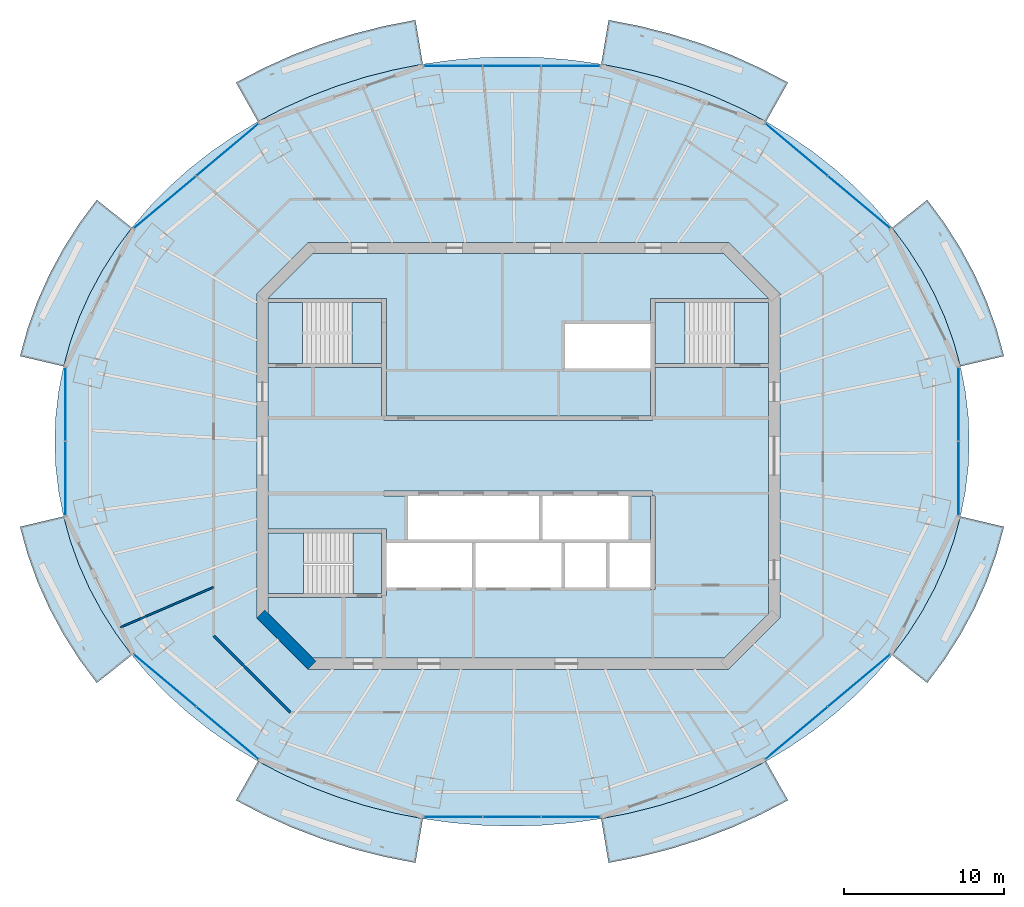
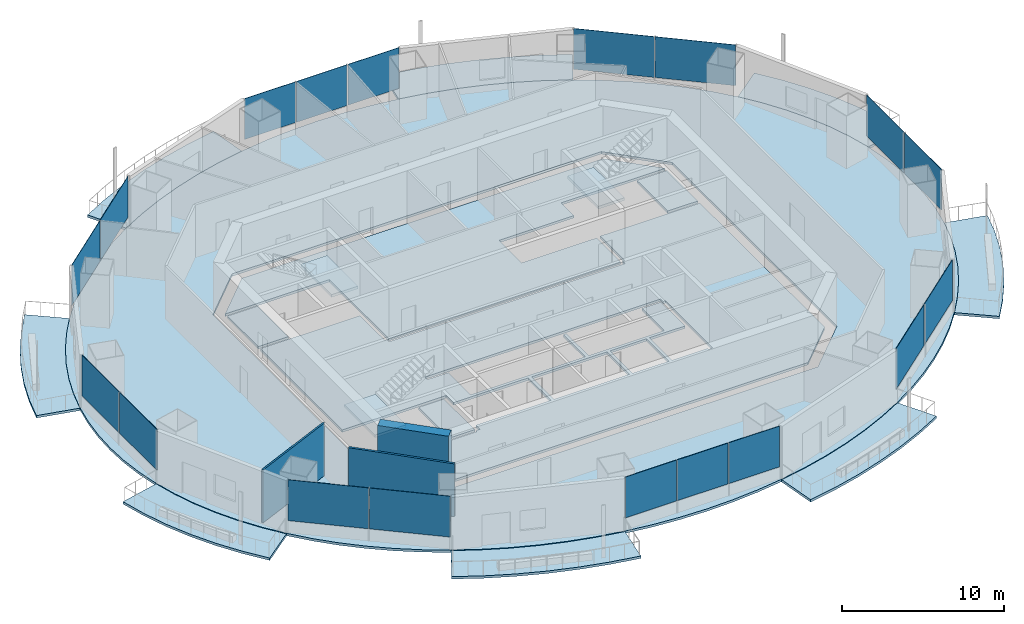
# One storey, part 7 of 16: 18 plates, 17 slabs, 3 walls, 11 elements without a shape of their own.
"""IFC4 building model written with IfcOpenShell, lengths in metres."""

import ifcopenshell
import ifcopenshell.guid

model = None  # the IFC model being written
_history = None  # IfcOwnerHistory: only IFC2X3 demands one
_inside = {}  # id of a spatial element -> (the spatial element, [elements in it])
_under = {}  # id of a project, library or spatial element -> (it, [spatial elements below it])
_declared = {}  # id of a project -> (the project, [libraries it declares])
_typed = {}  # id of a type object -> (the type object, [elements of that type])
_made_of = {}  # id of a material, layer set ... -> (it, [elements and type objects made of it])


def new_model(schema):
    """Start an empty IFC model of exactly this schema.

    Asked for "IFC4X3", IfcOpenShell would pick the latest addendum, in which some entities
    have other attributes; the version numbers below select the first issue.
    IFC2X3 requires an IfcOwnerHistory on every rooted entity: one is made here for all.
    """
    global model, _history
    if schema == "IFC4X3":
        model = ifcopenshell.file(schema_version=(4, 3, 0, 0))
    else:
        model = ifcopenshell.file(schema=schema)
    _inside.clear()
    _under.clear()
    _declared.clear()
    _typed.clear()
    _made_of.clear()
    _history = None
    if model.schema == "IFC2X3":
        org = make("IfcOrganization", Name="unknown")
        user = make(
            "IfcPersonAndOrganization",
            ThePerson=make("IfcPerson", FamilyName="unknown"),
            TheOrganization=org,
        )
        app = make(
            "IfcApplication",
            ApplicationDeveloper=org,
            Version="unknown",
            ApplicationFullName="unknown",
            ApplicationIdentifier="unknown",
        )
        _history = make(
            "IfcOwnerHistory",
            OwningUser=user,
            OwningApplication=app,
            ChangeAction="ADDED",
            CreationDate=0,
        )
    return model


def make(cls, **values):
    """One entity of the class cls with the attributes given. An attribute that is None is left unset."""
    return model.create_entity(
        cls, **{name: value for name, value in values.items() if value is not None}
    )


def rooted(cls, **values):
    """An entity with a GlobalId (a new one), such as an element, a storey or a relation."""
    return make(cls, GlobalId=ifcopenshell.guid.new(), OwnerHistory=_history, **values)


def si_unit(unit_type, name, prefix=None):
    """IfcSIUnit, for example si_unit("LENGTHUNIT", "METRE", prefix="MILLI")."""
    return make("IfcSIUnit", UnitType=unit_type, Prefix=prefix, Name=name)


def assignment(units):
    """IfcUnitAssignment: the units of a project."""
    return None if units is None else make("IfcUnitAssignment", Units=units)


def point(xyz):
    """IfcCartesianPoint."""
    return None if xyz is None else make("IfcCartesianPoint", Coordinates=xyz)


def direction(xyz):
    """IfcDirection."""
    return None if xyz is None else make("IfcDirection", DirectionRatios=xyz)


def frame(location, z_axis=None, x_axis=None):
    """IfcAxis2Placement3D, a coordinate frame: its origin and axes. An axis left out is left unset."""
    return make(
        "IfcAxis2Placement3D",
        Location=point(location),
        Axis=direction(z_axis),
        RefDirection=direction(x_axis),
    )


def frame_2d(location, x_axis=None):
    """IfcAxis2Placement2D, a coordinate frame in the plane: its origin and x axis."""
    return make(
        "IfcAxis2Placement2D", Location=point(location), RefDirection=direction(x_axis)
    )


def origin():
    """The frame at (0, 0, 0) with its axes left unset."""
    return frame((0.0, 0.0, 0.0))


def origin_2d():
    """The frame at (0, 0) in the plane with its x axis left unset."""
    return frame_2d((0.0, 0.0))


def place(relative_to, where):
    """IfcLocalPlacement: puts the frame where relative to a parent placement (None: the world)."""
    return make(
        "IfcLocalPlacement", PlacementRelTo=relative_to, RelativePlacement=where
    )


def context(
    kind, dimensions, precision=None, world=None, true_north=None, identifier=None
):
    """IfcGeometricRepresentationContext, for example the 3D "Model" context."""
    return make(
        "IfcGeometricRepresentationContext",
        ContextIdentifier=identifier,
        ContextType=kind,
        CoordinateSpaceDimension=dimensions,
        Precision=precision,
        WorldCoordinateSystem=world,
        TrueNorth=true_north,
    )


def subcontext(parent, identifier, kind, view, scale=None):
    """IfcGeometricRepresentationSubContext, for example "Body" below "Model"."""
    return make(
        "IfcGeometricRepresentationSubContext",
        ContextIdentifier=identifier,
        ContextType=kind,
        ParentContext=parent,
        TargetScale=scale,
        TargetView=view,
    )


def project(units=None, contexts=None):
    """IfcProject with its units and contexts."""
    return rooted(
        "IfcProject",
        Name="project",
        RepresentationContexts=contexts,
        UnitsInContext=assignment(units),
    )


def spatial(cls, under=None, at=None, **own):
    """A site, building, storey or space (cls), placed at a placement, below another one or the project."""
    s = rooted(cls, ObjectPlacement=at, **own)
    if under is not None:
        _under.setdefault(under.id(), (under, []))[1].append(s)
    return s


def polyline(points):
    """IfcPolyline through the points."""
    return make("IfcPolyline", Points=[point(p) for p in points])


def profile(cls, at=None, kind="AREA", **sizes):
    """A parametric profile (cls). Its sizes go by their IFC names, for example OverallWidth=200.0."""
    return make(cls, ProfileType=kind, Position=at, **sizes)


def rectangle(**sizes):
    """IfcRectangleProfileDef."""
    return profile("IfcRectangleProfileDef", **sizes)


def outline(outer, holes=None, kind="AREA"):
    """IfcArbitraryClosedProfileDef: a profile drawn as a closed curve; with holes, ...WithVoids."""
    if holes is None:
        return make("IfcArbitraryClosedProfileDef", ProfileType=kind, OuterCurve=outer)
    return make(
        "IfcArbitraryProfileDefWithVoids",
        ProfileType=kind,
        OuterCurve=outer,
        InnerCurves=holes,
    )


def extrude(swept, where, along, depth):
    """IfcExtrudedAreaSolid: the profile swept, set in the frame where, extruded along a direction by depth."""
    return make(
        "IfcExtrudedAreaSolid",
        SweptArea=swept,
        Position=where,
        ExtrudedDirection=direction(along),
        Depth=depth,
    )


def shape(context_of_items, identifier, shape_type, items):
    """IfcShapeRepresentation: the items that make up one representation, for example the "Body"."""
    return make(
        "IfcShapeRepresentation",
        ContextOfItems=context_of_items,
        RepresentationIdentifier=identifier,
        RepresentationType=shape_type,
        Items=items,
    )


def material(Name=None, Category=None):
    """IfcMaterial."""
    return make("IfcMaterial", Name=Name, Category=Category)


def layer(
    of_material, thickness, ventilated=None, Name=None, Category=None, Priority=None
):
    """IfcMaterialLayer: one layer of a wall or slab, of a material (None: an air gap)."""
    return make(
        "IfcMaterialLayer",
        Material=of_material,
        LayerThickness=thickness,
        IsVentilated=ventilated,
        Name=Name,
        Category=Category,
        Priority=Priority,
    )


def layer_set(layers, Name=None):
    """IfcMaterialLayerSet."""
    return make("IfcMaterialLayerSet", MaterialLayers=layers, LayerSetName=Name)


def made_of(thing, what):
    """Note that an element or type object is made of a material, layer set ...; save() writes the relation."""
    if what is not None:
        _made_of.setdefault(what.id(), (what, []))[1].append(thing)
    return thing


def type_object(cls, material=None, **own):
    """A type object (cls), such as IfcWallType, which elements share."""
    return made_of(rooted(cls, **own), material)


def element(
    cls,
    number,
    at=None,
    inside=None,
    cuts=None,
    type_object=None,
    material=None,
    context=None,
    identifier="Body",
    shape_type=None,
    held_by="IfcProductDefinitionShape",
    body=None,
    shapes=None,
    **own,
):
    """One element of the class cls, such as IfcWall. Its Tag is "e" and its number.

    at: its placement. inside: the storey or other place that contains it. cuts: it is an
    opening in that element (IfcRelVoidsElement). A single representation is given by context,
    identifier, shape_type and body (its items); several are given by shapes. held_by: the class
    of the entity that holds the representations. save() writes the other relations.
    """
    e = rooted(cls, Tag="e%d" % number, ObjectPlacement=at, **own)
    if body is not None:
        shapes = [shape(context, identifier, shape_type, body)]
    if shapes is not None:
        e.Representation = make(held_by, Representations=shapes)
    if inside is not None:
        _inside.setdefault(inside.id(), (inside, []))[1].append(e)
    if cuts is not None:
        rooted(
            "IfcRelVoidsElement", RelatingBuildingElement=cuts, RelatedOpeningElement=e
        )
    if type_object is not None:
        _typed.setdefault(type_object.id(), (type_object, []))[1].append(e)
    return made_of(e, material)


def aggregate(whole, parts):
    """IfcRelAggregates: a whole, such as a stair, and the parts it consists of."""
    return rooted("IfcRelAggregates", RelatingObject=whole, RelatedObjects=parts)


def save(model, path):
    """Write the relations noted so far, then the file.

    IfcRelAggregates (storeys below a building ...), IfcRelContainedInSpatialStructure (elements
    in a storey), IfcRelDefinesByType, IfcRelAssociatesMaterial and IfcRelDeclares: one each for
    every whole, place, type object, material and project.
    """
    for whole, parts in _under.values():
        aggregate(whole, parts)
    for where, things in _inside.values():
        rooted(
            "IfcRelContainedInSpatialStructure",
            RelatedElements=things,
            RelatingStructure=where,
        )
    for kind, things in _typed.values():
        rooted("IfcRelDefinesByType", RelatedObjects=things, RelatingType=kind)
    for what, things in _made_of.values():
        rooted("IfcRelAssociatesMaterial", RelatedObjects=things, RelatingMaterial=what)
    for by, libraries in _declared.values():
        rooted("IfcRelDeclares", RelatingContext=by, RelatedDefinitions=libraries)
    model.write(path)


model = new_model("IFC4")

# Units and contexts
model_context = context("Model", 3, precision=1e-05, world=origin(), true_north=direction((0.0, 1.0)))
body_context = subcontext(model_context, "Body", "Model", "MODEL_VIEW")
ifc_project = project(units=[si_unit("LENGTHUNIT", "METRE"), si_unit("AREAUNIT", "SQUARE_METRE"), si_unit("VOLUMEUNIT", "CUBIC_METRE"), si_unit("PLANEANGLEUNIT", "RADIAN"), si_unit("MASSUNIT", "GRAM", prefix="KILO")], contexts=[model_context])

# Site, building, storey
site_placement = place(None, origin())
site = spatial("IfcSite", under=ifc_project, at=site_placement, CompositionType="ELEMENT")
building_placement = place(site_placement, origin())
building = spatial("IfcBuilding", under=site, at=building_placement, Name="Marenthal Gate Tower", CompositionType="ELEMENT")
storey_placement = place(building_placement, frame((0.0, 0.0, 301.10009765625)))
storey = spatial("IfcBuildingStorey", under=building, at=storey_placement, Name="L67", CompositionType="ELEMENT", Elevation=301.10009765625)

# Slabs
ifc_material_1 = material(Name="Concrete 40 MPa", Category="concrete")
ifc_layer_1 = layer(ifc_material_1, 0.179931640625)
ifc_layer_set_1 = layer_set([ifc_layer_1], Name="Balcony deck 180")
slab_type_1 = type_object("IfcSlabType", Name="Balcony deck 180", PredefinedType="USERDEFINED", material=ifc_layer_set_1)
slab_1_placement = place(storey_placement, frame((0.0, 0.0, -0.22021484375)))
element("IfcSlab", 1, at=slab_1_placement, inside=storey, type_object=slab_type_1, Name="Balcony deck L67 bay 1", ObjectType="BALCONY", PredefinedType="USERDEFINED", context=body_context, shape_type="SweptSolid", body=[
    extrude(outline(polyline([(27.646484375, 5.593505859375), (27.2216796875, 7.126708984375), (26.678466796875, 8.63330078125), (26.019287109375, 10.106689453125), (25.2470703125, 11.54052734375), (24.364990234375, 12.928955078125), (23.376708984375, 14.265869140625), (25.5693359375, 16.00732421875), (26.673583984375, 14.513427734375), (27.66259765625, 12.95654296875), (28.53125, 11.343505859375), (29.27490234375, 9.680908203125), (29.8896484375, 7.976318359375), (30.371337890625, 6.23779296875), (27.646484375, 5.593505859375)])), origin(), (0.0, 0.0, 1.0), 0.18017578125),
])
slab_2_placement = place(storey_placement, frame((0.0, 0.0, -0.22021484375)))
element("IfcSlab", 2, at=slab_2_placement, inside=storey, type_object=slab_type_1, Name="Balcony deck L67 bay 3", ObjectType="BALCONY", PredefinedType="USERDEFINED", context=body_context, shape_type="SweptSolid", body=[
    extrude(outline(polyline([(15.487060546875, 20.903564453125), (13.89794921875, 21.73486328125), (12.247802734375, 22.47705078125), (10.543212890625, 23.126708984375), (8.7919921875, 23.68115234375), (7.001220703125, 24.13818359375), (5.1787109375, 24.49560546875), (5.640869140625, 27.25732421875), (7.616943359375, 26.86962890625), (9.560791015625, 26.37353515625), (11.464599609375, 25.770751953125), (13.32080078125, 25.063232421875), (15.121337890625, 24.25341796875), (16.859130859375, 23.34423828125), (15.487060546875, 20.903564453125)])), origin(), (0.0, 0.0, 1.0), 0.18017578125),
])
slab_3_placement = place(storey_placement, frame((0.0, 0.0, -0.22021484375)))
element("IfcSlab", 3, at=slab_3_placement, inside=storey, type_object=slab_type_1, Name="Balcony deck L67 bay 5", ObjectType="BALCONY", PredefinedType="USERDEFINED", context=body_context, shape_type="SweptSolid", body=[
    extrude(outline(polyline([(-5.978759765625, 24.49560546875), (-7.80126953125, 24.13818359375), (-9.591796875, 23.68115234375), (-11.34326171875, 23.126708984375), (-13.047607421875, 22.47705078125), (-14.697998046875, 21.73486328125), (-16.287109375, 20.903564453125), (-17.6591796875, 23.34423828125), (-15.92138671875, 24.25341796875), (-14.12060546875, 25.063232421875), (-12.2646484375, 25.770751953125), (-10.36083984375, 26.37353515625), (-8.4169921875, 26.86962890625), (-6.44091796875, 27.25732421875), (-5.978759765625, 24.49560546875)])), origin(), (0.0, 0.0, 1.0), 0.18017578125),
])
slab_4_placement = place(storey_placement, frame((0.0, 0.0, -0.22021484375)))
element("IfcSlab", 4, at=slab_4_placement, inside=storey, type_object=slab_type_1, Name="Balcony deck L67 bay 7", ObjectType="BALCONY", PredefinedType="USERDEFINED", context=body_context, shape_type="SweptSolid", body=[
    extrude(outline(polyline([(-24.1767578125, 14.265869140625), (-25.164794921875, 12.928955078125), (-26.047119140625, 11.54052734375), (-26.8193359375, 10.106689453125), (-27.478515625, 8.63330078125), (-28.021484375, 7.126708984375), (-28.446533203125, 5.593505859375), (-31.17138671875, 6.23779296875), (-30.689453125, 7.976318359375), (-30.074951171875, 9.680908203125), (-29.331298828125, 11.343505859375), (-28.462646484375, 12.95654296875), (-27.4736328125, 14.513427734375), (-26.369384765625, 16.00732421875), (-24.1767578125, 14.265869140625)])), origin(), (0.0, 0.0, 1.0), 0.18017578125),
])
slab_5_placement = place(storey_placement, frame((0.0, 0.0, -0.22021484375)))
element("IfcSlab", 5, at=slab_5_placement, inside=storey, type_object=slab_type_1, Name="Balcony deck L67 bay 9", ObjectType="BALCONY", PredefinedType="USERDEFINED", context=body_context, shape_type="SweptSolid", body=[
    extrude(outline(polyline([(-28.446533203125, -3.79345703125), (-28.021484375, -5.32666015625), (-27.478515625, -6.833251953125), (-26.8193359375, -8.306640625), (-26.047119140625, -9.740478515625), (-25.164794921875, -11.12890625), (-24.1767578125, -12.4658203125), (-26.369384765625, -14.207275390625), (-27.4736328125, -12.71337890625), (-28.462646484375, -11.156494140625), (-29.331298828125, -9.54345703125), (-30.074951171875, -7.880859375), (-30.689453125, -6.176513671875), (-31.17138671875, -4.437744140625), (-28.446533203125, -3.79345703125)])), origin(), (0.0, 0.0, 1.0), 0.18017578125),
])
slab_6_placement = place(storey_placement, frame((0.0, 0.0, -0.22021484375)))
element("IfcSlab", 6, at=slab_6_placement, inside=storey, type_object=slab_type_1, Name="Balcony deck L67 bay 11", ObjectType="BALCONY", PredefinedType="USERDEFINED", context=body_context, shape_type="SweptSolid", body=[
    extrude(outline(polyline([(-16.287109375, -19.103515625), (-14.697998046875, -19.934814453125), (-13.047607421875, -20.677001953125), (-11.34326171875, -21.32666015625), (-9.591796875, -21.881103515625), (-7.80126953125, -22.338134765625), (-5.978759765625, -22.69580078125), (-6.44091796875, -25.457275390625), (-8.4169921875, -25.069580078125), (-10.36083984375, -24.573486328125), (-12.2646484375, -23.970703125), (-14.12060546875, -23.26318359375), (-15.92138671875, -22.453369140625), (-17.6591796875, -21.544189453125), (-16.287109375, -19.103515625)])), origin(), (0.0, 0.0, 1.0), 0.18017578125),
])
slab_7_placement = place(storey_placement, frame((0.0, 0.0, -0.22021484375)))
element("IfcSlab", 7, at=slab_7_placement, inside=storey, type_object=slab_type_1, Name="Balcony deck L67 bay 13", ObjectType="BALCONY", PredefinedType="USERDEFINED", context=body_context, shape_type="SweptSolid", body=[
    extrude(outline(polyline([(5.1787109375, -22.69580078125), (7.001220703125, -22.338134765625), (8.7919921875, -21.881103515625), (10.543212890625, -21.32666015625), (12.247802734375, -20.677001953125), (13.89794921875, -19.934814453125), (15.487060546875, -19.103515625), (16.859130859375, -21.544189453125), (15.121337890625, -22.453369140625), (13.32080078125, -23.26318359375), (11.464599609375, -23.970703125), (9.560791015625, -24.573486328125), (7.616943359375, -25.069580078125), (5.640869140625, -25.457275390625), (5.1787109375, -22.69580078125)])), origin(), (0.0, 0.0, 1.0), 0.18017578125),
])
slab_8_placement = place(storey_placement, frame((0.0, 0.0, -0.22021484375)))
element("IfcSlab", 8, at=slab_8_placement, inside=storey, type_object=slab_type_1, Name="Balcony deck L67 bay 15", ObjectType="BALCONY", PredefinedType="USERDEFINED", context=body_context, shape_type="SweptSolid", body=[
    extrude(outline(polyline([(23.376708984375, -12.4658203125), (24.364990234375, -11.12890625), (25.2470703125, -9.740478515625), (26.019287109375, -8.306640625), (26.678466796875, -6.833251953125), (27.2216796875, -5.32666015625), (27.646484375, -3.79345703125), (30.371337890625, -4.437744140625), (29.8896484375, -6.176513671875), (29.27490234375, -7.880859375), (28.53125, -9.54345703125), (27.66259765625, -11.156494140625), (26.673583984375, -12.71337890625), (25.5693359375, -14.207275390625), (23.376708984375, -12.4658203125)])), origin(), (0.0, 0.0, 1.0), 0.18017578125),
])
ifc_material_2 = material(Name="Concrete 50 MPa", Category="concrete")
ifc_layer_2 = layer(ifc_material_2, 0.179931640625)
ifc_layer_set_2 = layer_set([ifc_layer_2], Name="Core floor slab 180")
slab_type_2 = type_object("IfcSlabType", Name="Core floor slab 180", PredefinedType="FLOOR", material=ifc_layer_set_2)
slab_9_placement = place(storey_placement, frame((0.0, 0.0, -0.18017578125)))
element("IfcSlab", 9, at=slab_9_placement, inside=storey, type_object=slab_type_2, Name="Core floor L67", PredefinedType="FLOOR", context=body_context, shape_type="SweptSolid", body=[
    extrude(outline(polyline([(12.85498046875, -12.64990234375), (-12.85498046875, -12.64990234375), (-15.64990234375, -9.85498046875), (-15.64990234375, -8.875), (-8.550048828125, -8.875), (-8.550048828125, -8.75), (-8.25, -8.75), (-8.25, -8.239990234375), (-5.60009765625, -8.239990234375), (-2.909912109375, -8.239990234375), (-2.909912109375, -5.4599609375), (-5.60009765625, -5.4599609375), (-8.25, -5.4599609375), (-8.25, -4.574951171875), (-8.550048828125, -4.574951171875), (-15.64990234375, -4.574951171875), (-15.64990234375, 5.52490234375), (-8.550048828125, 5.52490234375), (-8.550048828125, 2.5), (-8.39990234375, 2.5), (-8.39990234375, 2.199951171875), (8.39990234375, 2.199951171875), (8.39990234375, 2.5), (8.550048828125, 2.5), (8.550048828125, 5.52490234375), (15.64990234375, 5.52490234375), (15.64990234375, -9.85498046875), (12.85498046875, -12.64990234375)]), holes=[polyline([(0.0, -8.239990234375), (2.68994140625, -8.239990234375), (2.68994140625, -5.4599609375), (0.0, -5.4599609375), (-2.68994140625, -5.4599609375), (-2.68994140625, -8.239990234375), (0.0, -8.239990234375)]), polyline([(1.2900390625, -5.239990234375), (1.2900390625, -2.5), (1.510009765625, -2.5), (1.510009765625, -5.239990234375), (4.199951171875, -5.239990234375), (6.889892578125, -5.239990234375), (6.889892578125, -2.5), (8.25, -2.5), (8.25, -5.4599609375), (5.7099609375, -5.4599609375), (5.7099609375, -8.239990234375), (8.25, -8.239990234375), (8.25, -8.35009765625), (8.550048828125, -8.35009765625), (8.550048828125, -2.5), (8.39990234375, -2.5), (8.39990234375, -2.199951171875), (-8.39990234375, -2.199951171875), (-8.39990234375, -2.5), (-6.889892578125, -2.5), (-6.889892578125, -5.239990234375), (-4.199951171875, -5.239990234375), (-1.39990234375, -5.239990234375), (1.2900390625, -5.239990234375)]), polyline([(5.489990234375, -5.4599609375), (2.909912109375, -5.4599609375), (2.909912109375, -8.239990234375), (5.489990234375, -8.239990234375), (5.489990234375, -5.4599609375)])]), origin(), (0.0, 0.0, 1.0), 0.18017578125),
])
slab_10_placement = place(storey_placement, frame((0.0, 0.0, -0.18017578125)))
element("IfcSlab", 10, at=slab_10_placement, inside=storey, type_object=slab_type_2, Name="Core floor L67", PredefinedType="FLOOR", context=body_context, shape_type="SweptSolid", body=[
    extrude(outline(polyline([(15.64990234375, 5.77490234375), (13.5, 5.77490234375), (13.5, 9.574951171875), (15.64990234375, 9.574951171875), (15.64990234375, 5.77490234375)])), origin(), (0.0, 0.0, 1.0), 0.18017578125),
])
slab_11_placement = place(storey_placement, frame((0.0, 0.0, -0.18017578125)))
element("IfcSlab", 11, at=slab_11_placement, inside=storey, type_object=slab_type_2, Name="Core floor L67", PredefinedType="FLOOR", context=body_context, shape_type="SweptSolid", body=[
    extrude(outline(polyline([(15.64990234375, 9.824951171875), (8.550048828125, 9.824951171875), (8.25, 9.824951171875), (8.25, 8.35009765625), (8.25, 8.239990234375), (5.60009765625, 8.239990234375), (2.909912109375, 8.239990234375), (2.909912109375, 5.4599609375), (5.60009765625, 5.4599609375), (8.25, 5.4599609375), (8.25, 2.5), (-8.25, 2.5), (-8.25, 8.35009765625), (-8.25, 9.824951171875), (-8.550048828125, 9.824951171875), (-15.64990234375, 9.824951171875), (-15.64990234375, 9.85498046875), (-12.85498046875, 12.64990234375), (12.85498046875, 12.64990234375), (15.64990234375, 9.85498046875), (15.64990234375, 9.824951171875)])), origin(), (0.0, 0.0, 1.0), 0.18017578125),
])
slab_12_placement = place(storey_placement, frame((0.0, 0.0, -0.18017578125)))
element("IfcSlab", 12, at=slab_12_placement, inside=storey, type_object=slab_type_2, Name="Core floor L67", PredefinedType="FLOOR", context=body_context, shape_type="SweptSolid", body=[
    extrude(outline(polyline([(-15.64990234375, 9.574951171875), (-13.5, 9.574951171875), (-13.5, 5.77490234375), (-15.64990234375, 5.77490234375), (-15.64990234375, 9.574951171875)])), origin(), (0.0, 0.0, 1.0), 0.18017578125),
])
slab_13_placement = place(storey_placement, frame((0.0, 0.0, -0.18017578125)))
element("IfcSlab", 13, at=slab_13_placement, inside=storey, type_object=slab_type_2, Name="Core floor L67", PredefinedType="FLOOR", context=body_context, shape_type="SweptSolid", body=[
    extrude(outline(polyline([(-8.550048828125, -4.824951171875), (-8.550048828125, -8.625), (-10.35009765625, -8.625), (-10.35009765625, -4.824951171875), (-8.550048828125, -4.824951171875)])), origin(), (0.0, 0.0, 1.0), 0.18017578125),
])
ifc_material_3 = material(Name="Concrete 35 MPa", Category="concrete")
ifc_layer_3 = layer(ifc_material_3, 0.179931640625)
ifc_layer_set_3 = layer_set([ifc_layer_3], Name="Floor slab 180")
slab_type_3 = type_object("IfcSlabType", Name="Floor slab 180", PredefinedType="FLOOR", material=ifc_layer_set_3)
slab_14_placement = place(storey_placement, frame((0.0, 0.0, -0.18017578125)))
element("IfcSlab", 14, at=slab_14_placement, inside=storey, type_object=slab_type_3, Name="SL-L67-01", PredefinedType="FLOOR", context=body_context, shape_type="SweptSolid", body=[
    extrude(outline(polyline([(28.196044921875, 0.89990234375), (28.134765625, 2.473388671875), (27.951416015625, 4.040283203125), (27.646484375, 5.593505859375), (27.2216796875, 7.126708984375), (26.678466796875, 8.63330078125), (26.019287109375, 10.106689453125), (25.2470703125, 11.54052734375), (24.364990234375, 12.928955078125), (23.376708984375, 14.265869140625), (22.28662109375, 15.545654296875), (21.099609375, 16.762451171875), (19.8203125, 17.91162109375), (18.45458984375, 18.98779296875), (17.008056640625, 19.986572265625), (15.487060546875, 20.903564453125), (13.89794921875, 21.73486328125), (12.247802734375, 22.47705078125), (10.543212890625, 23.126708984375), (8.7919921875, 23.68115234375), (7.001220703125, 24.13818359375), (5.1787109375, 24.49560546875), (3.33251953125, 24.752197265625), (1.47021484375, 24.906494140625), (-0.39990234375, 24.9580078125), (-2.270263671875, 24.906494140625), (-4.132568359375, 24.752197265625), (-5.978759765625, 24.49560546875), (-7.80126953125, 24.13818359375), (-9.591796875, 23.68115234375), (-11.34326171875, 23.126708984375), (-13.047607421875, 22.47705078125), (-14.697998046875, 21.73486328125), (-16.287109375, 20.903564453125), (-17.80810546875, 19.986572265625), (-19.254638671875, 18.98779296875), (-20.620361328125, 17.91162109375), (-21.899658203125, 16.762451171875), (-23.086669921875, 15.545654296875), (-24.1767578125, 14.265869140625), (-25.164794921875, 12.928955078125), (-26.047119140625, 11.54052734375), (-26.8193359375, 10.106689453125), (-27.478515625, 8.63330078125), (-28.021484375, 7.126708984375), (-28.446533203125, 5.593505859375), (-28.75146484375, 4.040283203125), (-28.934814453125, 2.473388671875), (-28.99609375, 0.89990234375), (-28.934814453125, -0.673583984375), (-28.75146484375, -2.240234375), (-28.446533203125, -3.79345703125), (-28.021484375, -5.32666015625), (-27.478515625, -6.833251953125), (-26.8193359375, -8.306640625), (-26.047119140625, -9.740478515625), (-25.164794921875, -11.12890625), (-24.1767578125, -12.4658203125), (-23.086669921875, -13.74560546875), (-21.899658203125, -14.96240234375), (-20.620361328125, -16.111572265625), (-19.254638671875, -17.187744140625), (-17.80810546875, -18.1865234375), (-16.287109375, -19.103515625), (-14.697998046875, -19.934814453125), (-13.047607421875, -20.677001953125), (-11.34326171875, -21.32666015625), (-9.591796875, -21.881103515625), (-7.80126953125, -22.338134765625), (-5.978759765625, -22.69580078125), (-4.132568359375, -22.9521484375), (-2.270263671875, -23.1064453125), (-0.39990234375, -23.157958984375), (1.47021484375, -23.1064453125), (3.33251953125, -22.9521484375), (5.1787109375, -22.69580078125), (7.001220703125, -22.338134765625), (8.7919921875, -21.881103515625), (10.543212890625, -21.32666015625), (12.247802734375, -20.677001953125), (13.89794921875, -19.934814453125), (15.487060546875, -19.103515625), (17.008056640625, -18.1865234375), (18.45458984375, -17.187744140625), (19.8203125, -16.111572265625), (21.099609375, -14.96240234375), (22.28662109375, -13.74560546875), (23.376708984375, -12.4658203125), (24.364990234375, -11.12890625), (25.2470703125, -9.740478515625), (26.019287109375, -8.306640625), (26.678466796875, -6.833251953125), (27.2216796875, -5.32666015625), (27.646484375, -3.79345703125), (27.951416015625, -2.240234375), (28.134765625, -0.673583984375), (28.196044921875, 0.89990234375)]), holes=[polyline([(13.14501953125, -13.35009765625), (16.35009765625, -10.14501953125), (16.35009765625, 10.14501953125), (13.14501953125, 13.35009765625), (-13.14501953125, 13.35009765625), (-16.35009765625, 10.14501953125), (-16.35009765625, -10.14501953125), (-13.14501953125, -13.35009765625), (13.14501953125, -13.35009765625)])]), origin(), (0.0, 0.0, 1.0), 0.18017578125),
])

# Curtain wall, plates
ifc_material_4 = material(Name="Aluminium and glass", Category="aluminium")
curtain_wall_type = type_object("IfcCurtainWallType", Name="Curtain wall typical high", PredefinedType="NOTDEFINED", material=ifc_material_4)
curtain_wall_1_placement = place(storey_placement, origin())
curtain_wall_1 = element("IfcCurtainWall", 15, at=curtain_wall_1_placement, inside=storey, type_object=curtain_wall_type, Name="Curtain wall L67 bay 2", PredefinedType="NOTDEFINED")
ifc_material_5 = material(Name="Glass, laminated insulating unit", Category="glass")
ifc_layer_4 = layer(ifc_material_5, 0.031982421875)
ifc_layer_set_4 = layer_set([ifc_layer_4], Name="Glass panel 32 typical high")
plate_type = type_object("IfcPlateType", Name="Glass panel 32 typical high", PredefinedType="CURTAIN_PANEL", material=ifc_layer_set_4)
plate_1_placement = place(storey_placement, frame((21.30126953125, 15.860107421875, 0.89990234375), z_axis=(0.0, 0.0, 1.0), x_axis=(-0.765462970905, 0.643479945432, 0.0)))
plate_1 = element("IfcPlate", 16, at=plate_1_placement, type_object=plate_type, Name="Glass panel L67 bay 2.1", PredefinedType="CURTAIN_PANEL", context=body_context, shape_type="SweptSolid", body=[
    extrude(rectangle(XDim=5.0419921875, YDim=0.031982421875, at=origin_2d()), origin(), (0.0, 0.0, 1.0), 3.070068359375),
])
plate_2_placement = place(storey_placement, frame((17.39599609375, 19.142822265625, 0.89990234375), z_axis=(0.0, 0.0, 1.0), x_axis=(-0.765462970905, 0.643479945432, 0.0)))
plate_2 = element("IfcPlate", 17, at=plate_2_placement, type_object=plate_type, Name="Glass panel L67 bay 2.2", PredefinedType="CURTAIN_PANEL", context=body_context, shape_type="SweptSolid", body=[
    extrude(rectangle(XDim=5.041748046875, YDim=0.031982421875, at=origin_2d()), origin(), (0.0, 0.0, 1.0), 3.070068359375),
])
aggregate(curtain_wall_1, [plate_1, plate_2])

curtain_wall_2_placement = place(storey_placement, origin())
curtain_wall_2 = element("IfcCurtainWall", 18, at=curtain_wall_2_placement, inside=storey, type_object=curtain_wall_type, Name="Curtain wall L67 bay 4", PredefinedType="NOTDEFINED")
plate_3_placement = place(storey_placement, frame((3.28369140625, 24.3779296875, 0.89990234375), z_axis=(0.0, 0.0, 1.0), x_axis=(-1.0, 0.0, 0.0)))
plate_3 = element("IfcPlate", 19, at=plate_3_placement, type_object=plate_type, Name="Glass panel L67 bay 4.1", PredefinedType="CURTAIN_PANEL", context=body_context, shape_type="SweptSolid", body=[
    extrude(rectangle(XDim=3.62353515625, YDim=0.031982421875, at=origin_2d()), origin(), (0.0, 0.0, 1.0), 3.070068359375),
])
plate_4_placement = place(storey_placement, frame((-0.39990234375, 24.3779296875, 0.89990234375), z_axis=(0.0, 0.0, 1.0), x_axis=(-1.0, 0.0, 0.0)))
plate_4 = element("IfcPlate", 20, at=plate_4_placement, type_object=plate_type, Name="Glass panel L67 bay 4.2", PredefinedType="CURTAIN_PANEL", context=body_context, shape_type="SweptSolid", body=[
    extrude(rectangle(XDim=3.62353515625, YDim=0.031982421875, at=origin_2d()), origin(), (0.0, 0.0, 1.0), 3.070068359375),
])
plate_5_placement = place(storey_placement, frame((-4.08349609375, 24.3779296875, 0.89990234375), z_axis=(0.0, 0.0, 1.0), x_axis=(-1.0, 0.0, 0.0)))
plate_5 = element("IfcPlate", 21, at=plate_5_placement, type_object=plate_type, Name="Glass panel L67 bay 4.3", PredefinedType="CURTAIN_PANEL", context=body_context, shape_type="SweptSolid", body=[
    extrude(rectangle(XDim=3.62353515625, YDim=0.031982421875, at=origin_2d()), origin(), (0.0, 0.0, 1.0), 3.070068359375),
])
aggregate(curtain_wall_2, [plate_3, plate_4, plate_5])

curtain_wall_3_placement = place(storey_placement, origin())
curtain_wall_3 = element("IfcCurtainWall", 22, at=curtain_wall_3_placement, inside=storey, type_object=curtain_wall_type, Name="Curtain wall L67 bay 6", PredefinedType="NOTDEFINED")
plate_6_placement = place(storey_placement, frame((-18.196044921875, 19.142822265625, 0.89990234375), z_axis=(0.0, 0.0, 1.0), x_axis=(-0.765462970905, -0.643479945432, 0.0)))
plate_6 = element("IfcPlate", 23, at=plate_6_placement, type_object=plate_type, Name="Glass panel L67 bay 6.1", PredefinedType="CURTAIN_PANEL", context=body_context, shape_type="SweptSolid", body=[
    extrude(rectangle(XDim=5.0419921875, YDim=0.031982421875, at=origin_2d()), origin(), (0.0, 0.0, 1.0), 3.070068359375),
])
plate_7_placement = place(storey_placement, frame((-22.101318359375, 15.85986328125, 0.89990234375), z_axis=(0.0, 0.0, 1.0), x_axis=(-0.765462970905, -0.643479945432, 0.0)))
plate_7 = element("IfcPlate", 24, at=plate_7_placement, type_object=plate_type, Name="Glass panel L67 bay 6.2", PredefinedType="CURTAIN_PANEL", context=body_context, shape_type="SweptSolid", body=[
    extrude(rectangle(XDim=5.041748046875, YDim=0.031982421875, at=origin_2d()), origin(), (0.0, 0.0, 1.0), 3.070068359375),
])
aggregate(curtain_wall_3, [plate_6, plate_7])

curtain_wall_4_placement = place(storey_placement, origin())
curtain_wall_4 = element("IfcCurtainWall", 25, at=curtain_wall_4_placement, inside=storey, type_object=curtain_wall_type, Name="Curtain wall L67 bay 8", PredefinedType="NOTDEFINED")
plate_8_placement = place(storey_placement, frame((-28.328857421875, 3.219970703125, 0.89990234375), z_axis=(0.0, 0.0, 1.0), x_axis=(0.0, -1.0, 0.0)))
plate_8 = element("IfcPlate", 26, at=plate_8_placement, type_object=plate_type, Name="Glass panel L67 bay 8.1", PredefinedType="CURTAIN_PANEL", context=body_context, shape_type="SweptSolid", body=[
    extrude(rectangle(XDim=4.580078125, YDim=0.031982421875, at=origin_2d()), origin(), (0.0, 0.0, 1.0), 3.070068359375),
])
plate_9_placement = place(storey_placement, frame((-28.328857421875, -1.420166015625, 0.89990234375), z_axis=(0.0, 0.0, 1.0), x_axis=(0.0, -1.0, 0.0)))
plate_9 = element("IfcPlate", 27, at=plate_9_placement, type_object=plate_type, Name="Glass panel L67 bay 8.2", PredefinedType="CURTAIN_PANEL", context=body_context, shape_type="SweptSolid", body=[
    extrude(rectangle(XDim=4.580078125, YDim=0.031982421875, at=origin_2d()), origin(), (0.0, 0.0, 1.0), 3.070068359375),
])
aggregate(curtain_wall_4, [plate_8, plate_9])

curtain_wall_5_placement = place(storey_placement, origin())
curtain_wall_5 = element("IfcCurtainWall", 28, at=curtain_wall_5_placement, inside=storey, type_object=curtain_wall_type, Name="Curtain wall L67 bay 10", PredefinedType="NOTDEFINED")
plate_10_placement = place(storey_placement, frame((-22.101318359375, -14.06005859375, 0.89990234375), z_axis=(0.0, 0.0, 1.0), x_axis=(0.765462970905, -0.643479945432, 0.0)))
plate_10 = element("IfcPlate", 29, at=plate_10_placement, type_object=plate_type, Name="Glass panel L67 bay 10.1", PredefinedType="CURTAIN_PANEL", context=body_context, shape_type="SweptSolid", body=[
    extrude(rectangle(XDim=5.0419921875, YDim=0.031982421875, at=origin_2d()), origin(), (0.0, 0.0, 1.0), 3.070068359375),
])
plate_11_placement = place(storey_placement, frame((-18.196044921875, -17.343017578125, 0.89990234375), z_axis=(0.0, 0.0, 1.0), x_axis=(0.765462970905, -0.643479945432, 0.0)))
plate_11 = element("IfcPlate", 30, at=plate_11_placement, type_object=plate_type, Name="Glass panel L67 bay 10.2", PredefinedType="CURTAIN_PANEL", context=body_context, shape_type="SweptSolid", body=[
    extrude(rectangle(XDim=5.041748046875, YDim=0.031982421875, at=origin_2d()), origin(), (0.0, 0.0, 1.0), 3.070068359375),
])
aggregate(curtain_wall_5, [plate_10, plate_11])

curtain_wall_6_placement = place(storey_placement, origin())
curtain_wall_6 = element("IfcCurtainWall", 31, at=curtain_wall_6_placement, inside=storey, type_object=curtain_wall_type, Name="Curtain wall L67 bay 12", PredefinedType="NOTDEFINED")
plate_12_placement = place(storey_placement, frame((-4.08349609375, -22.577880859375, 0.89990234375), z_axis=(0.0, 0.0, 1.0), x_axis=(1.0, 0.0, 0.0)))
plate_12 = element("IfcPlate", 32, at=plate_12_placement, type_object=plate_type, Name="Glass panel L67 bay 12.1", PredefinedType="CURTAIN_PANEL", context=body_context, shape_type="SweptSolid", body=[
    extrude(rectangle(XDim=3.62353515625, YDim=0.031982421875, at=origin_2d()), origin(), (0.0, 0.0, 1.0), 3.070068359375),
])
plate_13_placement = place(storey_placement, frame((-0.39990234375, -22.577880859375, 0.89990234375), z_axis=(0.0, 0.0, 1.0), x_axis=(1.0, 0.0, 0.0)))
plate_13 = element("IfcPlate", 33, at=plate_13_placement, type_object=plate_type, Name="Glass panel L67 bay 12.2", PredefinedType="CURTAIN_PANEL", context=body_context, shape_type="SweptSolid", body=[
    extrude(rectangle(XDim=3.62353515625, YDim=0.031982421875, at=origin_2d()), origin(), (0.0, 0.0, 1.0), 3.070068359375),
])
plate_14_placement = place(storey_placement, frame((3.28369140625, -22.577880859375, 0.89990234375), z_axis=(0.0, 0.0, 1.0), x_axis=(1.0, 0.0, 0.0)))
plate_14 = element("IfcPlate", 34, at=plate_14_placement, type_object=plate_type, Name="Glass panel L67 bay 12.3", PredefinedType="CURTAIN_PANEL", context=body_context, shape_type="SweptSolid", body=[
    extrude(rectangle(XDim=3.62353515625, YDim=0.031982421875, at=origin_2d()), origin(), (0.0, 0.0, 1.0), 3.070068359375),
])
aggregate(curtain_wall_6, [plate_12, plate_13, plate_14])

curtain_wall_7_placement = place(storey_placement, origin())
curtain_wall_7 = element("IfcCurtainWall", 35, at=curtain_wall_7_placement, inside=storey, type_object=curtain_wall_type, Name="Curtain wall L67 bay 14", PredefinedType="NOTDEFINED")
plate_15_placement = place(storey_placement, frame((17.39599609375, -17.343017578125, 0.89990234375), z_axis=(0.0, 0.0, 1.0), x_axis=(0.765462970905, 0.643479945432, 0.0)))
plate_15 = element("IfcPlate", 36, at=plate_15_placement, type_object=plate_type, Name="Glass panel L67 bay 14.1", PredefinedType="CURTAIN_PANEL", context=body_context, shape_type="SweptSolid", body=[
    extrude(rectangle(XDim=5.0419921875, YDim=0.031982421875, at=origin_2d()), origin(), (0.0, 0.0, 1.0), 3.070068359375),
])
plate_16_placement = place(storey_placement, frame((21.30126953125, -14.06005859375, 0.89990234375), z_axis=(0.0, 0.0, 1.0), x_axis=(0.765462970905, 0.643479945432, 0.0)))
plate_16 = element("IfcPlate", 37, at=plate_16_placement, type_object=plate_type, Name="Glass panel L67 bay 14.2", PredefinedType="CURTAIN_PANEL", context=body_context, shape_type="SweptSolid", body=[
    extrude(rectangle(XDim=5.041748046875, YDim=0.031982421875, at=origin_2d()), origin(), (0.0, 0.0, 1.0), 3.070068359375),
])
aggregate(curtain_wall_7, [plate_15, plate_16])

curtain_wall_8_placement = place(storey_placement, origin())
curtain_wall_8 = element("IfcCurtainWall", 38, at=curtain_wall_8_placement, inside=storey, type_object=curtain_wall_type, Name="Curtain wall L67 bay 16", PredefinedType="NOTDEFINED")
plate_17_placement = place(storey_placement, frame((27.52880859375, -1.420166015625, 0.89990234375), z_axis=(0.0, 0.0, 1.0), x_axis=(0.0, 1.0, 0.0)))
plate_17 = element("IfcPlate", 39, at=plate_17_placement, type_object=plate_type, Name="Glass panel L67 bay 16.1", PredefinedType="CURTAIN_PANEL", context=body_context, shape_type="SweptSolid", body=[
    extrude(rectangle(XDim=4.580078125, YDim=0.031982421875, at=origin_2d()), origin(), (0.0, 0.0, 1.0), 3.070068359375),
])
plate_18_placement = place(storey_placement, frame((27.52880859375, 3.219970703125, 0.89990234375), z_axis=(0.0, 0.0, 1.0), x_axis=(0.0, 1.0, 0.0)))
plate_18 = element("IfcPlate", 40, at=plate_18_placement, type_object=plate_type, Name="Glass panel L67 bay 16.2", PredefinedType="CURTAIN_PANEL", context=body_context, shape_type="SweptSolid", body=[
    extrude(rectangle(XDim=4.580078125, YDim=0.031982421875, at=origin_2d()), origin(), (0.0, 0.0, 1.0), 3.070068359375),
])
aggregate(curtain_wall_8, [plate_17, plate_18])

# Stair, slab
ifc_material_6 = material(Name="Concrete 40 MPa", Category="concrete")
stair_type = type_object("IfcStairType", Name="Exit stair 1800", PredefinedType="HALF_TURN_STAIR", material=ifc_material_6)
stair_1_placement = place(storey_placement, origin())
stair_1 = element("IfcStair", 41, at=stair_1_placement, inside=storey, type_object=stair_type, Name="Stair ST1", PredefinedType="HALF_TURN_STAIR")
ifc_material_7 = material(Name="Concrete 40 MPa", Category="concrete")
ifc_layer_5 = layer(ifc_material_7, 0.199951171875)
ifc_layer_set_5 = layer_set([ifc_layer_5], Name="Stair landing 200")
slab_type_4 = type_object("IfcSlabType", Name="Stair landing 200", PredefinedType="LANDING", material=ifc_layer_set_5)
slab_15_placement = place(storey_placement, frame((0.0, 0.0, 1.875)))
slab_15 = element("IfcSlab", 42, at=slab_15_placement, type_object=slab_type_4, Name="ST1 landing 1", PredefinedType="LANDING", context=body_context, shape_type="SweptSolid", body=[
    extrude(outline(polyline([(-10.419921875, 5.77490234375), (-8.550048828125, 5.77490234375), (-8.550048828125, 9.574951171875), (-10.419921875, 9.574951171875), (-10.419921875, 5.77490234375)])), origin(), (0.0, 0.0, 1.0), 0.199951171875),
])
aggregate(stair_1, [slab_15])

stair_2_placement = place(storey_placement, origin())
stair_2 = element("IfcStair", 43, at=stair_2_placement, inside=storey, type_object=stair_type, Name="Stair ST2", PredefinedType="HALF_TURN_STAIR")
slab_16_placement = place(storey_placement, frame((0.0, 0.0, 1.875)))
slab_16 = element("IfcSlab", 44, at=slab_16_placement, type_object=slab_type_4, Name="ST2 landing 1", PredefinedType="LANDING", context=body_context, shape_type="SweptSolid", body=[
    extrude(outline(polyline([(-15.64990234375, -8.625), (-13.429931640625, -8.625), (-13.429931640625, -4.824951171875), (-15.64990234375, -4.824951171875), (-15.64990234375, -8.625)])), origin(), (0.0, 0.0, 1.0), 0.199951171875),
])
aggregate(stair_2, [slab_16])

stair_3_placement = place(storey_placement, origin())
stair_3 = element("IfcStair", 45, at=stair_3_placement, inside=storey, type_object=stair_type, Name="Stair ST3", PredefinedType="HALF_TURN_STAIR")
slab_17_placement = place(storey_placement, frame((0.0, 0.0, 1.875)))
slab_17 = element("IfcSlab", 46, at=slab_17_placement, type_object=slab_type_4, Name="ST3 landing 1", PredefinedType="LANDING", context=body_context, shape_type="SweptSolid", body=[
    extrude(outline(polyline([(8.550048828125, 5.77490234375), (10.419921875, 5.77490234375), (10.419921875, 9.574951171875), (8.550048828125, 9.574951171875), (8.550048828125, 5.77490234375)])), origin(), (0.0, 0.0, 1.0), 0.199951171875),
])
aggregate(stair_3, [slab_17])

# Walls
ifc_material_8 = material(Name="Concrete 60 MPa", Category="concrete")
ifc_layer_6 = layer(ifc_material_8, 0.699951171875)
ifc_layer_set_6 = layer_set([ifc_layer_6], Name="Core shear wall 700")
wall_type_1 = type_object("IfcWallType", Name="Core shear wall 700", PredefinedType="SHEAR", material=ifc_layer_set_6)
wall_1_placement = place(storey_placement, frame((-16.1025390625, -9.8974609375, -0.18017578125), z_axis=(0.0, 0.0, 1.0), x_axis=(0.707106781187, -0.707106781187, 0.0)))
element("IfcWall", 47, at=wall_1_placement, inside=storey, type_object=wall_type_1, Name="Core wall 07", PredefinedType="SHEAR", context=body_context, shape_type="SweptSolid", body=[
    extrude(rectangle(XDim=4.53271484375, YDim=0.699951171875, at=frame_2d((2.266357421875, 0.0))), origin(), (0.0, 0.0, 1.0), 4.150146484375),
])
ifc_material_9 = material(Name="Gypsum board on steel studs", Category="steel")
ifc_layer_7 = layer(ifc_material_9, 0.1201171875)
ifc_layer_set_7 = layer_set([ifc_layer_7], Name="Partition 120")
wall_type_2 = type_object("IfcWallType", Name="Partition 120", PredefinedType="PARTITIONING", material=ifc_layer_set_7)
wall_2_placement = place(storey_placement, frame((-19.050048828125, -8.210205078125, 0.0), z_axis=(0.0, 0.0, 1.0), x_axis=(-0.918342103528, -0.39578754514, 0.0)))
element("IfcWall", 48, at=wall_2_placement, inside=storey, type_object=wall_type_2, Name="Partition wall 53", PredefinedType="PARTITIONING", context=body_context, shape_type="SweptSolid", body=[
    extrude(rectangle(XDim=6.368896484375, YDim=0.1201171875, at=frame_2d((3.1845703125, 0.0))), origin(), (0.0, 0.0, 1.0), 3.969970703125),
])
ifc_material_10 = material(Name="Gypsum board on steel studs", Category="steel")
ifc_layer_8 = layer(ifc_material_10, 0.14990234375)
ifc_layer_set_8 = layer_set([ifc_layer_8], Name="Partition 150")
wall_type_3 = type_object("IfcWallType", Name="Partition 150", PredefinedType="PARTITIONING", material=ifc_layer_set_8)
wall_3_placement = place(storey_placement, frame((-14.263427734375, -16.050048828125, 0.0), z_axis=(0.0, 0.0, 1.0), x_axis=(-0.707106781187, 0.707106781187, 0.0)))
element("IfcWall", 49, at=wall_3_placement, inside=storey, type_object=wall_type_3, Name="Partition wall 56", PredefinedType="PARTITIONING", context=body_context, shape_type="SweptSolid", body=[
    extrude(rectangle(XDim=6.769287109375, YDim=0.14990234375, at=frame_2d((3.384765625, 0.0))), origin(), (0.0, 0.0, 1.0), 3.969970703125),
])

save(model, "model.ifc")
